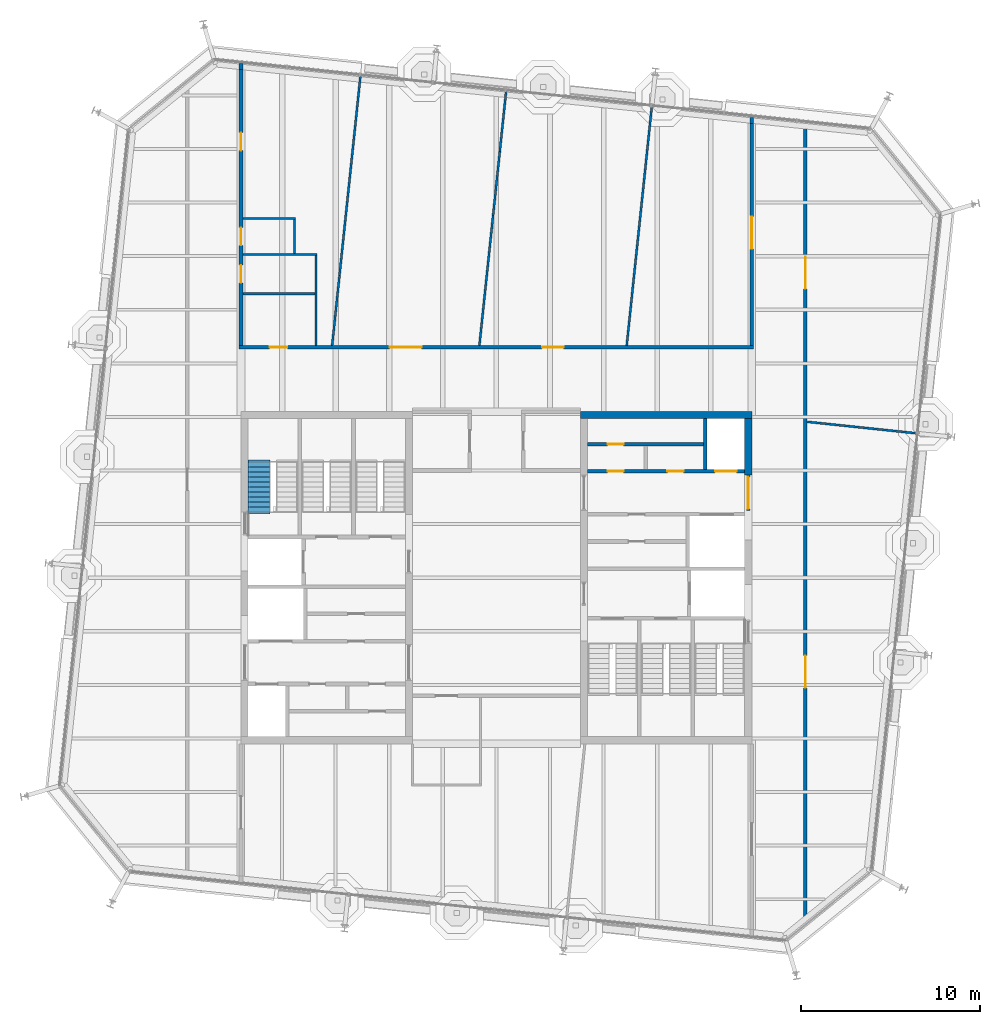
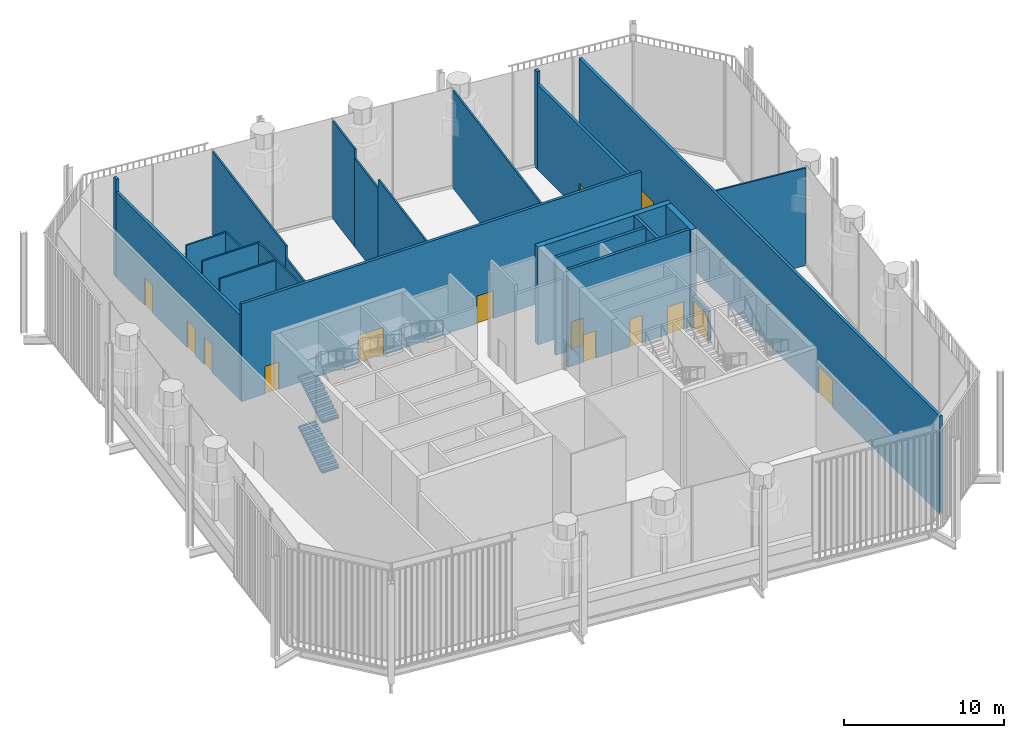
# One storey, part 12 of 17: 24 walls, 14 doors, 2 stair flights, 14 openings, 1 element without a shape of its own.
"""IFC4 building model written with IfcOpenShell, lengths in metres."""

from ifc_helpers import new_model, si_unit, direction, frame, frame_2d, origin, place, context, subcontext, project, spatial, polyline, rectangle, outline, extrude, material, layer, layer_set, type_object, element, fill, aggregate, save


model = new_model("IFC4")

# Units and contexts
model_context = context("Model", 3, precision=1e-05, world=origin(), true_north=direction((0.0, 1.0)))
body_context = subcontext(model_context, "Body", "Model", "MODEL_VIEW")
ifc_project = project(units=[si_unit("LENGTHUNIT", "METRE"), si_unit("AREAUNIT", "SQUARE_METRE"), si_unit("VOLUMEUNIT", "CUBIC_METRE"), si_unit("PLANEANGLEUNIT", "RADIAN"), si_unit("MASSUNIT", "GRAM", prefix="KILO")], contexts=[model_context])

# Site, building, storey
site_placement = place(None, origin())
site = spatial("IfcSite", under=ifc_project, at=site_placement, CompositionType="ELEMENT")
building_placement = place(site_placement, origin())
building = spatial("IfcBuilding", under=site, at=building_placement, Name="Millrace Tower", CompositionType="ELEMENT")
storey_placement = place(building_placement, frame((0.0, 0.0, 311.10009765625)))
storey = spatial("IfcBuildingStorey", under=building, at=storey_placement, Name="L72", CompositionType="ELEMENT", Elevation=311.10009765625)

# Walls
ifc_material_1 = material(Name="Concrete C60", Category="concrete")
ifc_layer_1 = layer(ifc_material_1, 0.39990234375)
ifc_layer_set_1 = layer_set([ifc_layer_1], Name="Concrete C60")
wall_type_1 = type_object("IfcWallType", Name="Core wall 400 Concrete C60", PredefinedType="SHEAR", material=ifc_layer_set_1)
wall_1_placement = place(storey_placement, frame((14.300048828125, 9.10009765625, 0.0), z_axis=(0.0, 0.0, 1.0), x_axis=(-1.0, 0.0, 0.0)))
element("IfcWall", 1, at=wall_1_placement, inside=storey, type_object=wall_type_1, Name="Core wall E L72", PredefinedType="SHEAR", context=body_context, shape_type="SweptSolid", body=[
    extrude(rectangle(XDim=9.60009765625, YDim=0.39990234375, at=frame_2d((4.800048828125, 0.0))), origin(), (0.0, 0.0, 1.0), 7.43994140625),
])
wall_2_placement = place(storey_placement, frame((14.10009765625, 8.89990234375, 0.0), z_axis=(0.0, 0.0, 1.0), x_axis=(0.0, -1.0, 0.0)))
element("IfcWall", 2, at=wall_2_placement, inside=storey, type_object=wall_type_1, Name="Core wall E L72", PredefinedType="SHEAR", context=body_context, shape_type="SweptSolid", body=[
    extrude(rectangle(XDim=3.14990234375, YDim=0.39990234375, at=frame_2d((1.574951171875, 0.0))), origin(), (0.0, 0.0, 1.0), 7.43994140625),
])

# Wall, openings, doors
ifc_material_2 = material(Name="Masonry partition, fire-rated", Category="masonry")
ifc_layer_2 = layer(ifc_material_2, 0.199951171875)
ifc_layer_set_2 = layer_set([ifc_layer_2], Name="Masonry partition, fire-rated")
wall_type_2 = type_object("IfcWallType", Name="Corridor wall 200", PredefinedType="PARTITIONING", material=ifc_layer_set_2)
wall_3_placement = place(storey_placement, frame((-14.39990234375, 12.89990234375, 0.0), z_axis=(0.0, 0.0, 1.0), x_axis=(1.0, 0.0, 0.0)))
wall_3 = element("IfcWall", 3, at=wall_3_placement, inside=storey, type_object=wall_type_2, Name="Corridor wall L72", PredefinedType="PARTITIONING", context=body_context, shape_type="SweptSolid", body=[
    extrude(rectangle(XDim=28.7998046875, YDim=0.199951171875, at=frame_2d((14.39990234375, 0.0))), origin(), (0.0, 0.0, 1.0), 7.43994140625),
])
opening_1_placement = place(wall_3_placement, frame((1.699951171875, 0.0, 0.0)))
opening_1 = element("IfcOpeningElement", 4, at=opening_1_placement, cuts=wall_3, Name="Opening 72-P005", PredefinedType="OPENING", context=body_context, shape_type="SweptSolid", body=[
    extrude(rectangle(XDim=1.0, YDim=2.10009765625, at=frame_2d((0.5, 1.050048828125))), frame((0.0, 0.10986328125, 0.0), z_axis=(0.0, -1.0, 0.0), x_axis=(1.0, 0.0, 0.0)), (0.0, 0.0, 1.0), 0.219970703125),
])
opening_2_placement = place(wall_3_placement, frame((8.41455078125, 0.0, 0.0)))
opening_2 = element("IfcOpeningElement", 5, at=opening_2_placement, cuts=wall_3, Name="Opening 72-P008", PredefinedType="OPENING", context=body_context, shape_type="SweptSolid", body=[
    extrude(rectangle(XDim=1.800048828125, YDim=2.10009765625, at=frame_2d((0.89990234375, 1.050048828125))), frame((0.0, 0.10986328125, 0.0), z_axis=(0.0, -1.0, 0.0), x_axis=(1.0, 0.0, 0.0)), (0.0, 0.0, 1.0), 0.219970703125),
])
opening_3_placement = place(wall_3_placement, frame((16.9599609375, 0.0, 0.0)))
opening_3 = element("IfcOpeningElement", 6, at=opening_3_placement, cuts=wall_3, Name="Opening 72-P009", PredefinedType="OPENING", context=body_context, shape_type="SweptSolid", body=[
    extrude(rectangle(XDim=1.199951171875, YDim=2.10009765625, at=frame_2d((0.60009765625, 1.050048828125))), frame((0.0, 0.10986328125, 0.0), z_axis=(0.0, -1.0, 0.0), x_axis=(1.0, 0.0, 0.0)), (0.0, 0.0, 1.0), 0.219970703125),
])
ifc_material_3 = material(Name="Steel door set, fire-rated", Category="steel")
door_type_1 = type_object("IfcDoorType", Name="Corridor door 1000 x 2100", OperationType="SINGLE_SWING_LEFT", PredefinedType="DOOR", material=ifc_material_3)
door_1_placement = place(opening_1_placement, origin())
door_1 = element("IfcDoor", 7, at=door_1_placement, inside=storey, type_object=door_type_1, Name="Door 72-P005", OperationType="SINGLE_SWING_LEFT", OverallHeight=2.10009765625, OverallWidth=1.0, PredefinedType="DOOR", context=body_context, shape_type="SweptSolid", body=[
    extrude(rectangle(XDim=1.0, YDim=2.10009765625, at=frame_2d((0.5, 1.050048828125))), frame((0.0, 0.02490234375, 0.0), z_axis=(0.0, -1.0, 0.0), x_axis=(1.0, 0.0, 0.0)), (0.0, 0.0, 1.0), 0.050048828125),
])
fill(opening_1, door_1)
ifc_material_4 = material(Name="Steel door set, fire-rated", Category="steel")
door_type_2 = type_object("IfcDoorType", Name="Corridor door 1200 x 2100", OperationType="SINGLE_SWING_LEFT", PredefinedType="DOOR", material=ifc_material_4)
door_2_placement = place(opening_3_placement, origin())
door_2 = element("IfcDoor", 8, at=door_2_placement, inside=storey, type_object=door_type_2, Name="Door 72-P009", OperationType="SINGLE_SWING_RIGHT", OverallHeight=2.10009765625, OverallWidth=1.199951171875, PredefinedType="DOOR", context=body_context, shape_type="SweptSolid", body=[
    extrude(rectangle(XDim=1.199951171875, YDim=2.10009765625, at=frame_2d((0.60009765625, 1.050048828125))), frame((0.0, 0.02490234375, 0.0), z_axis=(0.0, -1.0, 0.0), x_axis=(1.0, 0.0, 0.0)), (0.0, 0.0, 1.0), 0.050048828125),
])
fill(opening_3, door_2)
ifc_material_5 = material(Name="Steel door set, fire-rated", Category="steel")
door_type_3 = type_object("IfcDoorType", Name="Corridor door 1800 x 2100", OperationType="DOUBLE_DOOR_SINGLE_SWING", PredefinedType="DOOR", material=ifc_material_5)
door_3_placement = place(opening_2_placement, origin())
door_3 = element("IfcDoor", 9, at=door_3_placement, inside=storey, type_object=door_type_3, Name="Door 72-P008", OperationType="DOUBLE_DOOR_SINGLE_SWING", OverallHeight=2.10009765625, OverallWidth=1.800048828125, PredefinedType="DOOR", context=body_context, shape_type="SweptSolid", body=[
    extrude(rectangle(XDim=1.800048828125, YDim=2.10009765625, at=frame_2d((0.89990234375, 1.050048828125))), frame((0.0, 0.02490234375, 0.0), z_axis=(0.0, -1.0, 0.0), x_axis=(1.0, 0.0, 0.0)), (0.0, 0.0, 1.0), 0.050048828125),
])
fill(opening_2, door_3)

wall_4_placement = place(storey_placement, frame((17.300048828125, -19.5283203125, 0.0), z_axis=(0.0, 0.0, 1.0), x_axis=(0.0, 1.0, 0.0)))
wall_4 = element("IfcWall", 10, at=wall_4_placement, inside=storey, type_object=wall_type_2, Name="Corridor wall L72", PredefinedType="PARTITIONING", context=body_context, shape_type="SweptSolid", body=[
    extrude(rectangle(XDim=44.986572265625, YDim=0.199951171875, at=frame_2d((22.4931640625, 0.0))), origin(), (0.0, 0.0, 1.0), 7.43994140625),
])
opening_4_placement = place(wall_4_placement, frame((13.36474609375, 0.0, 0.0)))
opening_4 = element("IfcOpeningElement", 11, at=opening_4_placement, cuts=wall_4, Name="Opening 72-P011", PredefinedType="OPENING", context=body_context, shape_type="SweptSolid", body=[
    extrude(rectangle(XDim=1.800048828125, YDim=2.10009765625, at=frame_2d((0.89990234375, 1.050048828125))), frame((0.0, 0.10986328125, 0.0), z_axis=(0.0, -1.0, 0.0), x_axis=(1.0, 0.0, 0.0)), (0.0, 0.0, 1.0), 0.219970703125),
])
opening_5_placement = place(wall_4_placement, frame((35.70068359375, 0.0, 0.0)))
opening_5 = element("IfcOpeningElement", 12, at=opening_5_placement, cuts=wall_4, Name="Opening 72-P012", PredefinedType="OPENING", context=body_context, shape_type="SweptSolid", body=[
    extrude(rectangle(XDim=1.800048828125, YDim=2.10009765625, at=frame_2d((0.89990234375, 1.050048828125))), frame((0.0, 0.10986328125, 0.0), z_axis=(0.0, -1.0, 0.0), x_axis=(1.0, 0.0, 0.0)), (0.0, 0.0, 1.0), 0.219970703125),
])
door_4_placement = place(opening_4_placement, frame((1.800048828125, 0.0, 0.0), z_axis=(0.0, 0.0, 1.0), x_axis=(-1.0, 0.0, 0.0)))
door_4 = element("IfcDoor", 13, at=door_4_placement, inside=storey, type_object=door_type_3, Name="Door 72-P011", OperationType="DOUBLE_DOOR_SINGLE_SWING", OverallHeight=2.10009765625, OverallWidth=1.800048828125, PredefinedType="DOOR", context=body_context, shape_type="SweptSolid", body=[
    extrude(rectangle(XDim=1.800048828125, YDim=2.10009765625, at=frame_2d((0.89990234375, 1.050048828125))), frame((0.0, 0.02490234375, 0.0), z_axis=(0.0, -1.0, 0.0), x_axis=(1.0, 0.0, 0.0)), (0.0, 0.0, 1.0), 0.050048828125),
])
fill(opening_4, door_4)
door_5_placement = place(opening_5_placement, frame((1.800048828125, 0.0, 0.0), z_axis=(0.0, 0.0, 1.0), x_axis=(-1.0, 0.0, 0.0)))
door_5 = element("IfcDoor", 14, at=door_5_placement, inside=storey, type_object=door_type_3, Name="Door 72-P012", OperationType="DOUBLE_DOOR_SINGLE_SWING", OverallHeight=2.10009765625, OverallWidth=1.800048828125, PredefinedType="DOOR", context=body_context, shape_type="SweptSolid", body=[
    extrude(rectangle(XDim=1.800048828125, YDim=2.10009765625, at=frame_2d((0.89990234375, 1.050048828125))), frame((0.0, 0.02490234375, 0.0), z_axis=(0.0, -1.0, 0.0), x_axis=(1.0, 0.0, 0.0)), (0.0, 0.0, 1.0), 0.050048828125),
])
fill(opening_5, door_5)

# Wall, opening, door
wall_5_placement = place(storey_placement, frame((14.300048828125, 13.0, 0.0), z_axis=(0.0, 0.0, 1.0), x_axis=(0.0, 1.0, 0.0)))
wall_5 = element("IfcWall", 15, at=wall_5_placement, inside=storey, type_object=wall_type_2, Name="Corridor wall L72", PredefinedType="PARTITIONING", context=body_context, shape_type="SweptSolid", body=[
    extrude(rectangle(XDim=12.434326171875, YDim=0.199951171875, at=frame_2d((6.21728515625, 0.0))), origin(), (0.0, 0.0, 1.0), 6.492431640625),
])
opening_6_placement = place(wall_5_placement, frame((5.41162109375, 0.0, 0.0)))
opening_6 = element("IfcOpeningElement", 16, at=opening_6_placement, cuts=wall_5, Name="Opening 72-P010", PredefinedType="OPENING", context=body_context, shape_type="SweptSolid", body=[
    extrude(rectangle(XDim=1.800048828125, YDim=2.10009765625, at=frame_2d((0.89990234375, 1.050048828125))), frame((0.0, 0.10986328125, 0.0), z_axis=(0.0, -1.0, 0.0), x_axis=(1.0, 0.0, 0.0)), (0.0, 0.0, 1.0), 0.219970703125),
])
door_6_placement = place(opening_6_placement, origin())
door_6 = element("IfcDoor", 17, at=door_6_placement, inside=storey, type_object=door_type_3, Name="Door 72-P010", OperationType="DOUBLE_DOOR_SINGLE_SWING", OverallHeight=2.10009765625, OverallWidth=1.800048828125, PredefinedType="DOOR", context=body_context, shape_type="SweptSolid", body=[
    extrude(rectangle(XDim=1.800048828125, YDim=2.10009765625, at=frame_2d((0.89990234375, 1.050048828125))), frame((0.0, 0.02490234375, 0.0), z_axis=(0.0, -1.0, 0.0), x_axis=(1.0, 0.0, 0.0)), (0.0, 0.0, 1.0), 0.050048828125),
])
fill(opening_6, door_6)

# Wall
wall_6_placement = place(storey_placement, frame((14.300048828125, 25.434326171875, 0.0), z_axis=(0.0, 0.0, 1.0), x_axis=(0.0, 1.0, 0.0)))
element("IfcWall", 18, at=wall_6_placement, inside=storey, type_object=wall_type_2, Name="Corridor wall L72", PredefinedType="PARTITIONING", context=body_context, shape_type="SweptSolid", body=[
    extrude(rectangle(XDim=0.339111328125, YDim=0.199951171875, at=frame_2d((0.16943359375, 0.0))), origin(), (0.0, 0.0, 1.0), 7.43994140625),
])

# Wall, openings, doors
wall_7_placement = place(storey_placement, frame((-14.300048828125, 13.0, 0.0), z_axis=(0.0, 0.0, 1.0), x_axis=(0.0, 1.0, 0.0)))
wall_7 = element("IfcWall", 19, at=wall_7_placement, inside=storey, type_object=wall_type_2, Name="Corridor wall L72", PredefinedType="PARTITIONING", context=body_context, shape_type="SweptSolid", body=[
    extrude(rectangle(XDim=15.440185546875, YDim=0.199951171875, at=frame_2d((7.72021484375, 0.0))), origin(), (0.0, 0.0, 1.0), 6.492431640625),
])
opening_7_placement = place(wall_7_placement, frame((10.91455078125, 0.0, 0.0)))
opening_7 = element("IfcOpeningElement", 20, at=opening_7_placement, cuts=wall_7, Name="Opening 72-P004", PredefinedType="OPENING", context=body_context, shape_type="SweptSolid", body=[
    extrude(rectangle(XDim=1.0, YDim=2.10009765625, at=frame_2d((0.5, 1.050048828125))), frame((0.0, 0.10986328125, 0.0), z_axis=(0.0, -1.0, 0.0), x_axis=(1.0, 0.0, 0.0)), (0.0, 0.0, 1.0), 0.219970703125),
])
opening_8_placement = place(wall_7_placement, frame((3.5, 0.0, 0.0)))
opening_8 = element("IfcOpeningElement", 21, at=opening_8_placement, cuts=wall_7, Name="Opening 72-P006", PredefinedType="OPENING", context=body_context, shape_type="SweptSolid", body=[
    extrude(rectangle(XDim=1.0, YDim=2.10009765625, at=frame_2d((0.5, 1.050048828125))), frame((0.0, 0.10986328125, 0.0), z_axis=(0.0, -1.0, 0.0), x_axis=(1.0, 0.0, 0.0)), (0.0, 0.0, 1.0), 0.219970703125),
])
opening_9_placement = place(wall_7_placement, frame((5.60009765625, 0.0, 0.0)))
opening_9 = element("IfcOpeningElement", 22, at=opening_9_placement, cuts=wall_7, Name="Opening 72-P007", PredefinedType="OPENING", context=body_context, shape_type="SweptSolid", body=[
    extrude(rectangle(XDim=1.0, YDim=2.10009765625, at=frame_2d((0.5, 1.050048828125))), frame((0.0, 0.10986328125, 0.0), z_axis=(0.0, -1.0, 0.0), x_axis=(1.0, 0.0, 0.0)), (0.0, 0.0, 1.0), 0.219970703125),
])
door_7_placement = place(opening_7_placement, frame((1.0, 0.0, 0.0), z_axis=(0.0, 0.0, 1.0), x_axis=(-1.0, 0.0, 0.0)))
door_7 = element("IfcDoor", 23, at=door_7_placement, inside=storey, type_object=door_type_1, Name="Door 72-P004", OperationType="SINGLE_SWING_LEFT", OverallHeight=2.10009765625, OverallWidth=1.0, PredefinedType="DOOR", context=body_context, shape_type="SweptSolid", body=[
    extrude(rectangle(XDim=1.0, YDim=2.10009765625, at=frame_2d((0.5, 1.050048828125))), frame((0.0, 0.02490234375, 0.0), z_axis=(0.0, -1.0, 0.0), x_axis=(1.0, 0.0, 0.0)), (0.0, 0.0, 1.0), 0.050048828125),
])
fill(opening_7, door_7)
door_8_placement = place(opening_8_placement, frame((1.0, 0.0, 0.0), z_axis=(0.0, 0.0, 1.0), x_axis=(-1.0, 0.0, 0.0)))
door_8 = element("IfcDoor", 24, at=door_8_placement, inside=storey, type_object=door_type_1, Name="Door 72-P006", OperationType="SINGLE_SWING_RIGHT", OverallHeight=2.10009765625, OverallWidth=1.0, PredefinedType="DOOR", context=body_context, shape_type="SweptSolid", body=[
    extrude(rectangle(XDim=1.0, YDim=2.10009765625, at=frame_2d((0.5, 1.050048828125))), frame((0.0, 0.02490234375, 0.0), z_axis=(0.0, -1.0, 0.0), x_axis=(1.0, 0.0, 0.0)), (0.0, 0.0, 1.0), 0.050048828125),
])
fill(opening_8, door_8)
door_9_placement = place(opening_9_placement, frame((1.0, 0.0, 0.0), z_axis=(0.0, 0.0, 1.0), x_axis=(-1.0, 0.0, 0.0)))
door_9 = element("IfcDoor", 25, at=door_9_placement, inside=storey, type_object=door_type_1, Name="Door 72-P007", OperationType="SINGLE_SWING_RIGHT", OverallHeight=2.10009765625, OverallWidth=1.0, PredefinedType="DOOR", context=body_context, shape_type="SweptSolid", body=[
    extrude(rectangle(XDim=1.0, YDim=2.10009765625, at=frame_2d((0.5, 1.050048828125))), frame((0.0, 0.02490234375, 0.0), z_axis=(0.0, -1.0, 0.0), x_axis=(1.0, 0.0, 0.0)), (0.0, 0.0, 1.0), 0.050048828125),
])
fill(opening_9, door_9)

# Wall
wall_8_placement = place(storey_placement, frame((-14.300048828125, 28.440185546875, 0.0), z_axis=(0.0, 0.0, 1.0), x_axis=(0.0, 1.0, 0.0)))
element("IfcWall", 26, at=wall_8_placement, inside=storey, type_object=wall_type_2, Name="Corridor wall L72", PredefinedType="PARTITIONING", context=body_context, shape_type="SweptSolid", body=[
    extrude(rectangle(XDim=0.33935546875, YDim=0.199951171875, at=frame_2d((0.169677734375, 0.0))), origin(), (0.0, 0.0, 1.0), 7.43994140625),
])

# Wall, openings, doors
ifc_material_6 = material(Name="Masonry partition, fire-rated", Category="masonry")
ifc_layer_3 = layer(ifc_material_6, 0.199951171875)
ifc_layer_set_3 = layer_set([ifc_layer_3], Name="Masonry partition, fire-rated")
wall_type_3 = type_object("IfcWallType", Name="Lift shaft wall 200", PredefinedType="PARTITIONING", material=ifc_layer_set_3)
wall_9_placement = place(storey_placement, frame((13.89990234375, 5.949951171875, 0.0), z_axis=(0.0, 0.0, 1.0), x_axis=(-1.0, 0.0, 0.0)))
wall_9 = element("IfcWall", 27, at=wall_9_placement, inside=storey, type_object=wall_type_3, Name="Lift shaft wall E L72", PredefinedType="PARTITIONING", context=body_context, shape_type="SweptSolid", body=[
    extrude(rectangle(XDim=8.7998046875, YDim=0.199951171875, at=frame_2d((4.39990234375, 0.0))), origin(), (0.0, 0.0, 1.0), 7.43994140625),
])
opening_10_placement = place(wall_9_placement, frame((0.449951171875, 0.0, 0.0)))
opening_10 = element("IfcOpeningElement", 28, at=opening_10_placement, cuts=wall_9, Name="Opening 72-LD09", PredefinedType="OPENING", context=body_context, shape_type="SweptSolid", body=[
    extrude(rectangle(XDim=1.199951171875, YDim=2.10009765625, at=frame_2d((0.60009765625, 1.050048828125))), frame((0.0, 0.10986328125, 0.0), z_axis=(0.0, -1.0, 0.0), x_axis=(1.0, 0.0, 0.0)), (0.0, 0.0, 1.0), 0.219970703125),
])
opening_11_placement = place(wall_9_placement, frame((3.425048828125, 0.0, 0.0)))
opening_11 = element("IfcOpeningElement", 29, at=opening_11_placement, cuts=wall_9, Name="Opening 72-C016", PredefinedType="OPENING", context=body_context, shape_type="SweptSolid", body=[
    extrude(rectangle(XDim=0.89990234375, YDim=2.10009765625, at=frame_2d((0.449951171875, 1.050048828125))), frame((0.0, 0.10986328125, 0.0), z_axis=(0.0, -1.0, 0.0), x_axis=(1.0, 0.0, 0.0)), (0.0, 0.0, 1.0), 0.219970703125),
])
opening_12_placement = place(wall_9_placement, frame((6.77490234375, 0.0, 0.0)))
opening_12 = element("IfcOpeningElement", 30, at=opening_12_placement, cuts=wall_9, Name="Opening 72-C017", PredefinedType="OPENING", context=body_context, shape_type="SweptSolid", body=[
    extrude(rectangle(XDim=0.89990234375, YDim=2.10009765625, at=frame_2d((0.449951171875, 1.050048828125))), frame((0.0, 0.10986328125, 0.0), z_axis=(0.0, -1.0, 0.0), x_axis=(1.0, 0.0, 0.0)), (0.0, 0.0, 1.0), 0.219970703125),
])
ifc_material_7 = material(Name="Stainless steel, fire-rated", Category="steel")
door_type_4 = type_object("IfcDoorType", Name="Lift landing door 1200 x 2100", OperationType="DOUBLE_DOOR_SLIDING", PredefinedType="DOOR", material=ifc_material_7)
door_10_placement = place(opening_10_placement, origin())
door_10 = element("IfcDoor", 31, at=door_10_placement, inside=storey, type_object=door_type_4, Name="Lift landing door LF9 L72", OperationType="DOUBLE_DOOR_SLIDING", OverallHeight=2.10009765625, OverallWidth=1.199951171875, PredefinedType="DOOR", context=body_context, shape_type="SweptSolid", body=[
    extrude(rectangle(XDim=1.199951171875, YDim=2.10009765625, at=frame_2d((0.60009765625, 1.050048828125))), frame((0.0, 0.02490234375, 0.0), z_axis=(0.0, -1.0, 0.0), x_axis=(1.0, 0.0, 0.0)), (0.0, 0.0, 1.0), 0.050048828125),
])
fill(opening_10, door_10)
ifc_material_8 = material(Name="Steel door, fire-rated", Category="steel")
door_type_5 = type_object("IfcDoorType", Name="Service room door 900 x 2100", OperationType="SINGLE_SWING_LEFT", PredefinedType="DOOR", material=ifc_material_8)
door_11_placement = place(opening_11_placement, origin())
door_11 = element("IfcDoor", 32, at=door_11_placement, inside=storey, type_object=door_type_5, Name="Service room door 72-C016", OperationType="SINGLE_SWING_LEFT", OverallHeight=2.10009765625, OverallWidth=0.89990234375, PredefinedType="DOOR", context=body_context, shape_type="SweptSolid", body=[
    extrude(rectangle(XDim=0.89990234375, YDim=2.10009765625, at=frame_2d((0.449951171875, 1.050048828125))), frame((0.0, 0.02490234375, 0.0), z_axis=(0.0, -1.0, 0.0), x_axis=(1.0, 0.0, 0.0)), (0.0, 0.0, 1.0), 0.050048828125),
])
fill(opening_11, door_11)
door_12_placement = place(opening_12_placement, origin())
door_12 = element("IfcDoor", 33, at=door_12_placement, inside=storey, type_object=door_type_5, Name="Service room door 72-C017", OperationType="SINGLE_SWING_RIGHT", OverallHeight=2.10009765625, OverallWidth=0.89990234375, PredefinedType="DOOR", context=body_context, shape_type="SweptSolid", body=[
    extrude(rectangle(XDim=0.89990234375, YDim=2.10009765625, at=frame_2d((0.449951171875, 1.050048828125))), frame((0.0, 0.02490234375, 0.0), z_axis=(0.0, -1.0, 0.0), x_axis=(1.0, 0.0, 0.0)), (0.0, 0.0, 1.0), 0.050048828125),
])
fill(opening_12, door_12)

# Wall
wall_10_placement = place(storey_placement, frame((11.699951171875, 8.89990234375, 0.0), z_axis=(0.0, 0.0, 1.0), x_axis=(0.0, -1.0, 0.0)))
element("IfcWall", 34, at=wall_10_placement, inside=storey, type_object=wall_type_3, Name="Lift shaft wall E L72", PredefinedType="PARTITIONING", context=body_context, shape_type="SweptSolid", body=[
    extrude(rectangle(XDim=2.849853515625, YDim=0.199951171875, at=frame_2d((1.4248046875, 0.0))), origin(), (0.0, 0.0, 1.0), 7.43994140625),
])

# Wall, opening, door
ifc_material_9 = material(Name="Masonry partition, fire-rated", Category="masonry")
ifc_layer_4 = layer(ifc_material_9, 0.199951171875)
ifc_layer_set_4 = layer_set([ifc_layer_4], Name="Masonry partition, fire-rated")
wall_type_4 = type_object("IfcWallType", Name="Lobby wall 200", PredefinedType="PARTITIONING", material=ifc_layer_set_4)
wall_11_placement = place(storey_placement, frame((14.10009765625, 5.75, 0.0), z_axis=(0.0, 0.0, 1.0), x_axis=(0.0, -1.0, 0.0)))
wall_11 = element("IfcWall", 35, at=wall_11_placement, inside=storey, type_object=wall_type_4, Name="Lobby wall E L72", PredefinedType="PARTITIONING", context=body_context, shape_type="SweptSolid", body=[
    extrude(rectangle(XDim=2.0, YDim=0.199951171875, at=frame_2d((1.0, 0.0))), origin(), (0.0, 0.0, 1.0), 2.39990234375),
])
opening_13_placement = place(wall_11_placement, frame((0.10009765625, 0.0, 0.0)))
opening_13 = element("IfcOpeningElement", 36, at=opening_13_placement, cuts=wall_11, Name="Opening 72-C012", PredefinedType="OPENING", context=body_context, shape_type="SweptSolid", body=[
    extrude(rectangle(XDim=1.800048828125, YDim=2.10009765625, at=frame_2d((0.89990234375, 1.050048828125))), frame((0.0, 0.10986328125, 0.0), z_axis=(0.0, -1.0, 0.0), x_axis=(1.0, 0.0, 0.0)), (0.0, 0.0, 1.0), 0.219970703125),
])
ifc_material_10 = material(Name="Steel door, fire-rated", Category="steel")
door_type_6 = type_object("IfcDoorType", Name="Lobby door 1800 x 2100", OperationType="DOUBLE_DOOR_SINGLE_SWING", PredefinedType="DOOR", material=ifc_material_10)
door_13_placement = place(opening_13_placement, origin())
door_13 = element("IfcDoor", 37, at=door_13_placement, inside=storey, type_object=door_type_6, Name="Lobby door 72-C012", OperationType="DOUBLE_DOOR_SINGLE_SWING", OverallHeight=2.10009765625, OverallWidth=1.800048828125, PredefinedType="DOOR", context=body_context, shape_type="SweptSolid", body=[
    extrude(rectangle(XDim=1.800048828125, YDim=2.10009765625, at=frame_2d((0.89990234375, 1.050048828125))), frame((0.0, 0.02490234375, 0.0), z_axis=(0.0, -1.0, 0.0), x_axis=(1.0, 0.0, 0.0)), (0.0, 0.0, 1.0), 0.050048828125),
])
fill(opening_13, door_13)

# Walls
ifc_material_11 = material(Name="Gypsum board partition")
ifc_layer_5 = layer(ifc_material_11, 0.1201171875)
ifc_layer_set_5 = layer_set([ifc_layer_5], Name="Gypsum board partition")
wall_type_5 = type_object("IfcWallType", Name="Partition wall 120", PredefinedType="PARTITIONING", material=ifc_layer_set_5)
wall_12_placement = place(storey_placement, frame((17.3994140625, 8.7265625, 0.0), z_axis=(0.0, 0.0, 1.0), x_axis=(0.994507416085, -0.104666132782, 0.0)))
element("IfcWall", 38, at=wall_12_placement, inside=storey, type_object=wall_type_5, Name="Partition wall L72", PredefinedType="PARTITIONING", context=body_context, shape_type="SweptSolid", body=[
    extrude(rectangle(XDim=6.13232421875, YDim=0.1201171875, at=frame_2d((3.066162109375, 0.0))), origin(), (0.0, 0.0, 1.0), 7.43994140625),
])
wall_13_placement = place(storey_placement, frame((-14.199951171875, 15.89990234375, 0.0), z_axis=(0.0, 0.0, 1.0), x_axis=(1.0, 0.0, 0.0)))
element("IfcWall", 39, at=wall_13_placement, inside=storey, type_object=wall_type_5, Name="Partition wall L72", PredefinedType="PARTITIONING", context=body_context, shape_type="SweptSolid", body=[
    extrude(rectangle(XDim=4.0400390625, YDim=0.1201171875, at=frame_2d((2.02001953125, 0.0))), origin(), (0.0, 0.0, 1.0), 7.43994140625),
])
wall_14_placement = place(storey_placement, frame((-14.199951171875, 18.10009765625, 0.0), z_axis=(0.0, 0.0, 1.0), x_axis=(1.0, 0.0, 0.0)))
element("IfcWall", 40, at=wall_14_placement, inside=storey, type_object=wall_type_5, Name="Partition wall L72", PredefinedType="PARTITIONING", context=body_context, shape_type="SweptSolid", body=[
    extrude(rectangle(XDim=4.159912109375, YDim=0.1201171875, at=frame_2d((2.080078125, 0.0))), origin(), (0.0, 0.0, 1.0), 7.43994140625),
])
wall_15_placement = place(storey_placement, frame((-14.199951171875, 20.10009765625, 0.0), z_axis=(0.0, 0.0, 1.0), x_axis=(1.0, 0.0, 0.0)))
element("IfcWall", 41, at=wall_15_placement, inside=storey, type_object=wall_type_5, Name="Partition wall L72", PredefinedType="PARTITIONING", context=body_context, shape_type="SweptSolid", body=[
    extrude(rectangle(XDim=2.9599609375, YDim=0.1201171875, at=frame_2d((1.47998046875, 0.0))), origin(), (0.0, 0.0, 1.0), 7.43994140625),
])
wall_16_placement = place(storey_placement, frame((7.29345703125, 12.99951171875, 0.0), z_axis=(0.0, 0.0, 1.0), x_axis=(0.104478587956, 0.99452713621, 0.0)))
element("IfcWall", 42, at=wall_16_placement, inside=storey, type_object=wall_type_5, Name="Partition wall L72", PredefinedType="PARTITIONING", context=body_context, shape_type="SweptSolid", body=[
    extrude(rectangle(XDim=13.436279296875, YDim=0.1201171875, at=frame_2d((6.71826171875, 0.0))), origin(), (0.0, 0.0, 1.0), 7.43994140625),
])
wall_17_placement = place(storey_placement, frame((-0.95263671875, 12.99951171875, 0.0), z_axis=(0.0, 0.0, 1.0), x_axis=(0.104545776882, 0.994520075482, 0.0)))
element("IfcWall", 43, at=wall_17_placement, inside=storey, type_object=wall_type_5, Name="Partition wall L72", PredefinedType="PARTITIONING", context=body_context, shape_type="SweptSolid", body=[
    extrude(rectangle(XDim=7.31396484375, YDim=0.1201171875, at=frame_2d((3.656982421875, 0.0))), origin(), (0.0, 0.0, 1.0), 7.43994140625),
])
wall_18_placement = place(storey_placement, frame((-0.18798828125, 20.2734375, 0.0), z_axis=(0.0, 0.0, 1.0), x_axis=(0.104564611651, 0.994518095356, 0.0)))
element("IfcWall", 44, at=wall_18_placement, inside=storey, type_object=wall_type_5, Name="Partition wall L72", PredefinedType="PARTITIONING", context=body_context, shape_type="SweptSolid", body=[
    extrude(rectangle(XDim=3.595703125, YDim=0.1201171875, at=frame_2d((1.7978515625, 0.0))), origin(), (0.0, 0.0, 1.0), 6.74658203125),
])
wall_19_placement = place(storey_placement, frame((0.18798828125, 23.849365234375, 0.0), z_axis=(0.0, 0.0, 1.0), x_axis=(0.104538520452, 0.994520838264, 0.0)))
element("IfcWall", 45, at=wall_19_placement, inside=storey, type_object=wall_type_5, Name="Partition wall L72", PredefinedType="PARTITIONING", context=body_context, shape_type="SweptSolid", body=[
    extrude(rectangle(XDim=3.388671875, YDim=0.1201171875, at=frame_2d((1.6943359375, 0.0))), origin(), (0.0, 0.0, 1.0), 7.43994140625),
])
wall_20_placement = place(storey_placement, frame((-9.197509765625, 12.99951171875, 0.0), z_axis=(0.0, 0.0, 1.0), x_axis=(0.104532824039, 0.994521437023, 0.0)))
element("IfcWall", 46, at=wall_20_placement, inside=storey, type_object=wall_type_5, Name="Partition wall L72", PredefinedType="PARTITIONING", context=body_context, shape_type="SweptSolid", body=[
    extrude(rectangle(XDim=3.9306640625, YDim=0.1201171875, at=frame_2d((1.96533203125, 0.0))), origin(), (0.0, 0.0, 1.0), 6.5126953125),
])
wall_21_placement = place(storey_placement, frame((-8.78662109375, 16.90869140625, 0.0), z_axis=(0.0, 0.0, 1.0), x_axis=(0.10453086869, 0.994521642545, 0.0)))
element("IfcWall", 47, at=wall_21_placement, inside=storey, type_object=wall_type_5, Name="Partition wall L72", PredefinedType="PARTITIONING", context=body_context, shape_type="SweptSolid", body=[
    extrude(rectangle(XDim=11.2294921875, YDim=0.1201171875, at=frame_2d((5.61474609375, 0.0))), origin(), (0.0, 0.0, 1.0), 7.43994140625),
])
wall_22_placement = place(storey_placement, frame((-10.10009765625, 13.0, 0.0), z_axis=(0.0, 0.0, 1.0), x_axis=(0.0, 1.0, 0.0)))
element("IfcWall", 48, at=wall_22_placement, inside=storey, type_object=wall_type_5, Name="Partition wall L72", PredefinedType="PARTITIONING", context=body_context, shape_type="SweptSolid", body=[
    extrude(rectangle(XDim=5.0400390625, YDim=0.1201171875, at=frame_2d((2.52001953125, 0.0))), origin(), (0.0, 0.0, 1.0), 7.43994140625),
])
wall_23_placement = place(storey_placement, frame((-11.300048828125, 18.159912109375, 0.0), z_axis=(0.0, 0.0, 1.0), x_axis=(0.0, 1.0, 0.0)))
element("IfcWall", 49, at=wall_23_placement, inside=storey, type_object=wall_type_5, Name="Partition wall L72", PredefinedType="PARTITIONING", context=body_context, shape_type="SweptSolid", body=[
    extrude(rectangle(XDim=1.880126953125, YDim=0.1201171875, at=frame_2d((0.93994140625, 0.0))), origin(), (0.0, 0.0, 1.0), 7.43994140625),
])

# Wall, opening, door
ifc_material_12 = material(Name="Masonry partition, fire-rated", Category="masonry")
ifc_layer_6 = layer(ifc_material_12, 0.199951171875)
ifc_layer_set_6 = layer_set([ifc_layer_6], Name="Masonry partition, fire-rated")
wall_type_6 = type_object("IfcWallType", Name="Room partition 200", PredefinedType="PARTITIONING", material=ifc_layer_set_6)
wall_24_placement = place(storey_placement, frame((11.60009765625, 7.47509765625, 0.0), z_axis=(0.0, 0.0, 1.0), x_axis=(-1.0, 0.0, 0.0)))
wall_24 = element("IfcWall", 50, at=wall_24_placement, inside=storey, type_object=wall_type_6, Name="Room partition E L72", PredefinedType="PARTITIONING", context=body_context, shape_type="SweptSolid", body=[
    extrude(rectangle(XDim=6.5, YDim=0.199951171875, at=frame_2d((3.25, 0.0))), origin(), (0.0, 0.0, 1.0), 7.43994140625),
])
opening_14_placement = place(wall_24_placement, frame((4.47509765625, 0.0, 0.0)))
opening_14 = element("IfcOpeningElement", 51, at=opening_14_placement, cuts=wall_24, Name="Opening 72-C018", PredefinedType="OPENING", context=body_context, shape_type="SweptSolid", body=[
    extrude(rectangle(XDim=0.89990234375, YDim=2.10009765625, at=frame_2d((0.449951171875, 1.050048828125))), frame((0.0, 0.10986328125, 0.0), z_axis=(0.0, -1.0, 0.0), x_axis=(1.0, 0.0, 0.0)), (0.0, 0.0, 1.0), 0.219970703125),
])
door_14_placement = place(opening_14_placement, frame((0.89990234375, 0.0, 0.0), z_axis=(0.0, 0.0, 1.0), x_axis=(-1.0, 0.0, 0.0)))
door_14 = element("IfcDoor", 52, at=door_14_placement, inside=storey, type_object=door_type_5, Name="Service room door 72-C018", OperationType="SINGLE_SWING_LEFT", OverallHeight=2.10009765625, OverallWidth=0.89990234375, PredefinedType="DOOR", context=body_context, shape_type="SweptSolid", body=[
    extrude(rectangle(XDim=0.89990234375, YDim=2.10009765625, at=frame_2d((0.449951171875, 1.050048828125))), frame((0.0, 0.02490234375, 0.0), z_axis=(0.0, -1.0, 0.0), x_axis=(1.0, 0.0, 0.0)), (0.0, 0.0, 1.0), 0.050048828125),
])
fill(opening_14, door_14)

# Stair, stair flights
ifc_material_13 = material(Name="Concrete C35", Category="concrete")
stair_type = type_object("IfcStairType", Name="Exit stair", PredefinedType="HALF_TURN_STAIR", material=ifc_material_13)
stair_placement = place(storey_placement, origin())
stair = element("IfcStair", 53, at=stair_placement, inside=storey, type_object=stair_type, Name="Stair 1 W L72", PredefinedType="HALF_TURN_STAIR")
ifc_material_14 = material(Name="Concrete C35", Category="concrete")
stair_flight_type = type_object("IfcStairFlightType", Name="Exit stair flight", PredefinedType="STRAIGHT", material=ifc_material_14)
stair_flight_1_placement = place(storey_placement, frame((-13.2900390625, 3.679931640625, 0.0), z_axis=(0.0, 0.0, 1.0), x_axis=(0.0, 1.0, 0.0)))
stair_flight_1 = element("IfcStairFlight", 54, at=stair_flight_1_placement, type_object=stair_flight_type, Name="ST12 flight 1", NumberOfRisers=11, NumberOfTreads=10, PredefinedType="STRAIGHT", RiserHeight=0.172727273, TreadLength=0.28, context=body_context, shape_type="SweptSolid", body=[
    extrude(outline(polyline([(-0.1201171875, -0.0400390625), (-0.1201171875, 0.0), (0.0, 0.0), (0.0, 0.172607421875), (0.280029296875, 0.172607421875), (0.280029296875, 0.345458984375), (0.56005859375, 0.345458984375), (0.56005859375, 0.51806640625), (0.840087890625, 0.51806640625), (0.840087890625, 0.69091796875), (1.1201171875, 0.69091796875), (1.1201171875, 0.863525390625), (1.39990234375, 0.863525390625), (1.39990234375, 1.036376953125), (1.679931640625, 1.036376953125), (1.679931640625, 1.208984375), (1.9599609375, 1.208984375), (1.9599609375, 1.3818359375), (2.239990234375, 1.3818359375), (2.239990234375, 1.554443359375), (2.52001953125, 1.554443359375), (2.52001953125, 1.727294921875), (2.800048828125, 1.727294921875), (2.800048828125, 1.747314453125), (2.919921875, 1.747314453125), (2.919921875, 1.551025390625), (2.800048828125, 1.551025390625), (0.285400390625, 0.0), (0.285400390625, -0.0400390625), (-0.1201171875, -0.0400390625)])), frame((0.0, 0.60986328125, 0.0), z_axis=(0.0, -1.0, 0.0), x_axis=(1.0, 0.0, 0.0)), (0.0, 0.0, 1.0), 1.219970703125),
])
stair_flight_2_placement = place(storey_placement, frame((-13.2900390625, 3.679931640625, 3.7998046875), z_axis=(0.0, 0.0, 1.0), x_axis=(0.0, 1.0, 0.0)))
stair_flight_2 = element("IfcStairFlight", 55, at=stair_flight_2_placement, type_object=stair_flight_type, Name="ST12 flight 3", NumberOfRisers=11, NumberOfTreads=10, PredefinedType="STRAIGHT", RiserHeight=0.172727273, TreadLength=0.28, context=body_context, shape_type="SweptSolid", body=[
    extrude(outline(polyline([(-0.1201171875, -0.0400390625), (-0.1201171875, 0.0), (0.0, 0.0), (0.0, 0.172607421875), (0.280029296875, 0.172607421875), (0.280029296875, 0.345458984375), (0.56005859375, 0.345458984375), (0.56005859375, 0.51806640625), (0.840087890625, 0.51806640625), (0.840087890625, 0.69091796875), (1.1201171875, 0.69091796875), (1.1201171875, 0.863525390625), (1.39990234375, 0.863525390625), (1.39990234375, 1.036376953125), (1.679931640625, 1.036376953125), (1.679931640625, 1.208984375), (1.9599609375, 1.208984375), (1.9599609375, 1.3818359375), (2.239990234375, 1.3818359375), (2.239990234375, 1.554443359375), (2.52001953125, 1.554443359375), (2.52001953125, 1.727294921875), (2.800048828125, 1.727294921875), (2.800048828125, 1.747314453125), (2.919921875, 1.747314453125), (2.919921875, 1.551025390625), (2.800048828125, 1.551025390625), (0.285400390625, 0.0), (0.285400390625, -0.0400390625), (-0.1201171875, -0.0400390625)])), frame((0.0, 0.60986328125, 0.0), z_axis=(0.0, -1.0, 0.0), x_axis=(1.0, 0.0, 0.0)), (0.0, 0.0, 1.0), 1.219970703125),
])
aggregate(stair, [stair_flight_1, stair_flight_2])

save(model, "model.ifc")
